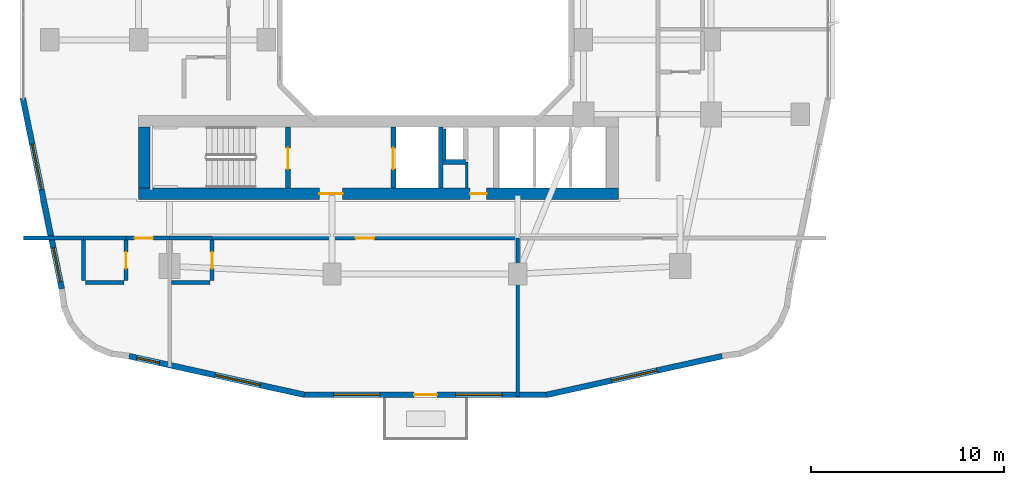
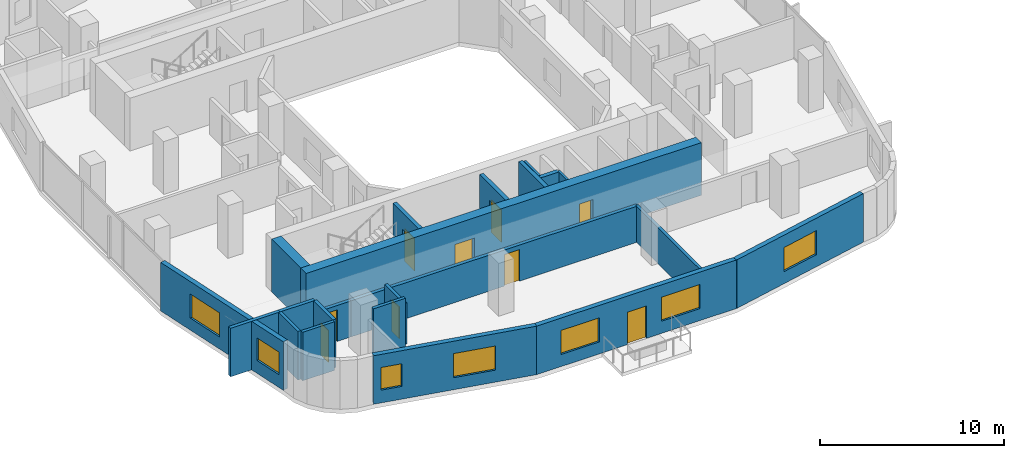
# One storey, part 8 of 22: 23 walls, 9 doors, 7 windows, 16 openings.
"""IFC4 building model written with IfcOpenShell, lengths in metres."""

from ifc_helpers import new_model, si_unit, derived_unit, direction, frame, frame_2d, origin, place, context, subcontext, project, spatial, rectangle, extrude, material, layer, layer_set, type_object, element, fill, save


model = new_model("IFC4")

# Units and contexts
model_context = context("Model", 3, precision=1e-05, world=origin(), true_north=direction((0.0, 1.0)))
body_context = subcontext(model_context, "Body", "Model", "MODEL_VIEW")
ifc_project = project(units=[si_unit("LENGTHUNIT", "METRE"), si_unit("AREAUNIT", "SQUARE_METRE"), si_unit("VOLUMEUNIT", "CUBIC_METRE"), si_unit("PLANEANGLEUNIT", "RADIAN"), si_unit("MASSUNIT", "GRAM", prefix="KILO"), derived_unit("THERMALTRANSMITTANCEUNIT", [(si_unit("POWERUNIT", "WATT"), 1), (si_unit("LENGTHUNIT", "METRE"), -2), (si_unit("THERMODYNAMICTEMPERATUREUNIT", "KELVIN"), -1)])], contexts=[model_context])

# Site, building, storey
site_placement = place(None, origin())
site = spatial("IfcSite", under=ifc_project, at=site_placement, CompositionType="ELEMENT")
building_placement = place(site_placement, origin())
building = spatial("IfcBuilding", under=site, at=building_placement, Name="Kivonza Crest Hotel", CompositionType="ELEMENT")
storey_placement = place(building_placement, frame((0.0, 0.0, 27.5)))
storey = spatial("IfcBuildingStorey", under=building, at=storey_placement, Name="L06", CompositionType="ELEMENT", Elevation=27.5)

# Walls
ifc_material_1 = material(Name="High-density acoustic masonry inter-tenancy wall", Category="masonry")
ifc_layer_1 = layer(ifc_material_1, 0.179931640625)
ifc_layer_set_1 = layer_set([ifc_layer_1], Name="High-density acoustic masonry inter-tenancy wall")
wall_type_1 = type_object("IfcWallType", Name="WL-ACOU-180", PredefinedType="SOLIDWALL", material=ifc_layer_set_1)
wall_1_placement = place(storey_placement, frame((25.800048828125, 3.06005859375, 0.0), z_axis=(0.0, 0.0, 1.0), x_axis=(0.0, 1.0, 0.0)))
element("IfcWall", 1, at=wall_1_placement, inside=storey, type_object=wall_type_1, Name="L06 interior partition WA-L06-T1S-DIV2", PredefinedType="SOLIDWALL", context=body_context, shape_type="SweptSolid", body=[
    extrude(rectangle(XDim=8.18994140625, YDim=0.179931640625, at=frame_2d((4.094970703125, 0.0))), origin(), (0.0, 0.0, 1.0), 2.39501953125),
])
ifc_material_2 = material(Name="Autoclaved aerated concrete blockwork", Category="masonry")
ifc_layer_2 = layer(ifc_material_2, 0.219970703125)
ifc_layer_set_2 = layer_set([ifc_layer_2], Name="Autoclaved aerated concrete blockwork")
wall_type_2 = type_object("IfcWallType", Name="WL-ACOU-220", PredefinedType="SOLIDWALL", material=ifc_layer_set_2)
wall_2_placement = place(storey_placement, frame((0.239990234375, 11.25, 0.0), z_axis=(0.0, 0.0, 1.0), x_axis=(1.0, 0.0, 0.0)))
element("IfcWall", 2, at=wall_2_placement, inside=storey, type_object=wall_type_2, Name="L06 interior partition WA-L06-S04-XCORR", PredefinedType="SOLIDWALL", context=body_context, shape_type="SweptSolid", body=[
    extrude(rectangle(XDim=3.110107421875, YDim=0.219970703125, at=frame_2d((1.55517578125, 0.0))), origin(), (0.0, 0.0, 1.0), 3.219970703125),
])
wall_3_placement = place(storey_placement, frame((3.35009765625, 11.25, 0.0), z_axis=(0.0, 0.0, 1.0), x_axis=(1.0, 0.0, 0.0)))
element("IfcWall", 3, at=wall_3_placement, inside=storey, type_object=wall_type_2, Name="L06 interior partition WA-L06-S04-BCORR", PredefinedType="SOLIDWALL", context=body_context, shape_type="SweptSolid", body=[
    extrude(rectangle(XDim=2.199951171875, YDim=0.219970703125, at=frame_2d((1.10009765625, 0.0))), origin(), (0.0, 0.0, 1.0), 3.219970703125),
])

# Wall, opening, door
wall_4_placement = place(storey_placement, frame((5.550048828125, 11.25, 0.0), z_axis=(0.0, 0.0, 1.0), x_axis=(1.0, 0.0, 0.0)))
wall_4 = element("IfcWall", 4, at=wall_4_placement, inside=storey, type_object=wall_type_2, Name="L06 interior partition WA-L06-S04-MCORR", PredefinedType="SOLIDWALL", context=body_context, shape_type="SweptSolid", body=[
    extrude(rectangle(XDim=2.25, YDim=0.219970703125, at=frame_2d((1.125, 0.0))), origin(), (0.0, 0.0, 1.0), 2.39501953125),
])
opening_1_placement = place(wall_4_placement, frame((0.43994140625, 0.0, 0.0)))
opening_1 = element("IfcOpeningElement", 5, at=opening_1_placement, cuts=wall_4, Name="Opening DU-60", PredefinedType="OPENING", context=body_context, shape_type="SweptSolid", body=[
    extrude(rectangle(XDim=0.949951171875, YDim=2.10009765625, at=frame_2d((0.47509765625, 1.050048828125))), frame((0.0, 0.1201171875, 0.0), z_axis=(0.0, -1.0, 0.0), x_axis=(1.0, 0.0, 0.0)), (0.0, 0.0, 1.0), 0.239990234375),
])
ifc_material_3 = material(Name="Hardwood timber oak", Category="wood")
door_type_1 = type_object("IfcDoorType", Name="DR-UNIT-950", OperationType="NOTDEFINED", PredefinedType="DOOR", material=ifc_material_3)
door_1_placement = place(opening_1_placement, frame((0.949951171875, 0.0, 0.0), z_axis=(0.0, 0.0, 1.0), x_axis=(-1.0, 0.0, 0.0)))
door_1 = element("IfcDoor", 6, at=door_1_placement, inside=storey, type_object=door_type_1, Name="L06 S04 guest unit entrance fire door", OperationType="SINGLE_SWING_RIGHT", OverallHeight=2.10009765625, OverallWidth=0.949951171875, PredefinedType="DOOR", context=body_context, shape_type="SweptSolid", body=[
    extrude(rectangle(XDim=0.949951171875, YDim=2.10009765625, at=frame_2d((0.47509765625, 1.050048828125))), frame((0.0, 0.02490234375, 0.0), z_axis=(0.0, -1.0, 0.0), x_axis=(1.0, 0.0, 0.0)), (0.0, 0.0, 1.0), 0.050048828125),
])
fill(opening_1, door_1)

# Wall
wall_5_placement = place(storey_placement, frame((7.800048828125, 11.25, 0.0), z_axis=(0.0, 0.0, 1.0), x_axis=(1.0, 0.0, 0.0)))
element("IfcWall", 7, at=wall_5_placement, inside=storey, type_object=wall_type_2, Name="L06 interior partition WA-L06-S05-BCORR", PredefinedType="SOLIDWALL", context=body_context, shape_type="SweptSolid", body=[
    extrude(rectangle(XDim=2.199951171875, YDim=0.219970703125, at=frame_2d((1.10009765625, 0.0))), origin(), (0.0, 0.0, 1.0), 2.39501953125),
])

# Wall, opening, door
wall_6_placement = place(storey_placement, frame((10.0, 11.25, 0.0), z_axis=(0.0, 0.0, 1.0), x_axis=(1.0, 0.0, 0.0)))
wall_6 = element("IfcWall", 8, at=wall_6_placement, inside=storey, type_object=wall_type_2, Name="L06 interior partition WA-L06-S05-MCORR", PredefinedType="SOLIDWALL", context=body_context, shape_type="SweptSolid", body=[
    extrude(rectangle(XDim=15.800048828125, YDim=0.219970703125, at=frame_2d((7.89990234375, 0.0))), origin(), (0.0, 0.0, 1.0), 2.39501953125),
])
opening_2_placement = place(wall_6_placement, frame((7.425048828125, 0.0, 0.0)))
opening_2 = element("IfcOpeningElement", 9, at=opening_2_placement, cuts=wall_6, Name="Opening DU-60", PredefinedType="OPENING", context=body_context, shape_type="SweptSolid", body=[
    extrude(rectangle(XDim=0.949951171875, YDim=2.10009765625, at=frame_2d((0.47509765625, 1.050048828125))), frame((0.0, 0.1201171875, 0.0), z_axis=(0.0, -1.0, 0.0), x_axis=(1.0, 0.0, 0.0)), (0.0, 0.0, 1.0), 0.239990234375),
])
door_2_placement = place(opening_2_placement, frame((0.949951171875, 0.0, 0.0), z_axis=(0.0, 0.0, 1.0), x_axis=(-1.0, 0.0, 0.0)))
door_2 = element("IfcDoor", 10, at=door_2_placement, inside=storey, type_object=door_type_1, Name="L06 S05 guest unit entrance fire door", OperationType="SINGLE_SWING_LEFT", OverallHeight=2.10009765625, OverallWidth=0.949951171875, PredefinedType="DOOR", context=body_context, shape_type="SweptSolid", body=[
    extrude(rectangle(XDim=0.949951171875, YDim=2.10009765625, at=frame_2d((0.47509765625, 1.050048828125))), frame((0.0, 0.02490234375, 0.0), z_axis=(0.0, -1.0, 0.0), x_axis=(1.0, 0.0, 0.0)), (0.0, 0.0, 1.0), 0.050048828125),
])
fill(opening_2, door_2)

# Wall, openings, doors
ifc_material_4 = material(Name="Concrete C60/75", Category="concrete")
ifc_layer_3 = layer(ifc_material_4, 0.60009765625)
ifc_layer_set_3 = layer_set([ifc_layer_3], Name="Concrete C60/75")
wall_type_3 = type_object("IfcWallType", Name="WL-CORE-600", PredefinedType="SHEAR", material=ifc_layer_set_3)
wall_7_placement = place(storey_placement, frame((6.199951171875, 13.5400390625, 0.0), z_axis=(0.0, 0.0, 1.0), x_axis=(1.0, 0.0, 0.0)))
wall_7 = element("IfcWall", 11, at=wall_7_placement, inside=storey, type_object=wall_type_3, Name="Core wall T1-S South L06", PredefinedType="SHEAR", context=body_context, shape_type="SweptSolid", body=[
    extrude(rectangle(XDim=24.800048828125, YDim=0.60009765625, at=frame_2d((12.39990234375, 0.0))), origin(), (0.0, 0.0, 1.0), 3.5),
])
opening_3_placement = place(wall_7_placement, frame((9.35009765625, 0.0, 0.0)))
opening_3 = element("IfcOpeningElement", 12, at=opening_3_placement, cuts=wall_7, Name="Opening DF-60", PredefinedType="OPENING", context=body_context, shape_type="SweptSolid", body=[
    extrude(rectangle(XDim=1.199951171875, YDim=2.14990234375, at=frame_2d((0.60009765625, 1.074951171875))), frame((0.0, 0.31005859375, 0.0), z_axis=(0.0, -1.0, 0.0), x_axis=(1.0, 0.0, 0.0)), (0.0, 0.0, 1.0), 0.6201171875),
])
opening_4_placement = place(wall_7_placement, frame((17.139892578125, 0.0, 0.0)))
opening_4 = element("IfcOpeningElement", 13, at=opening_4_placement, cuts=wall_7, Name="Opening DF-60R", PredefinedType="OPENING", context=body_context, shape_type="SweptSolid", body=[
    extrude(rectangle(XDim=0.85009765625, YDim=2.10009765625, at=frame_2d((0.425048828125, 1.050048828125))), frame((0.0, 0.31005859375, 0.0), z_axis=(0.0, -1.0, 0.0), x_axis=(1.0, 0.0, 0.0)), (0.0, 0.0, 1.0), 0.6201171875),
])
door_type_2 = type_object("IfcDoorType", Name="DR-FD60-1200", OperationType="NOTDEFINED", PredefinedType="DOOR", material=ifc_material_3)
door_3_placement = place(opening_3_placement, frame((1.199951171875, 0.0, 0.0), z_axis=(0.0, 0.0, 1.0), x_axis=(-1.0, 0.0, 0.0)))
door_3 = element("IfcDoor", 14, at=door_3_placement, inside=storey, type_object=door_type_2, Name="L06 T1-S firefighting lobby fire door", OperationType="SINGLE_SWING_LEFT", OverallHeight=2.14990234375, OverallWidth=1.199951171875, PredefinedType="DOOR", context=body_context, shape_type="SweptSolid", body=[
    extrude(rectangle(XDim=1.199951171875, YDim=2.14990234375, at=frame_2d((0.60009765625, 1.074951171875))), frame((0.0, 0.02490234375, 0.0), z_axis=(0.0, -1.0, 0.0), x_axis=(1.0, 0.0, 0.0)), (0.0, 0.0, 1.0), 0.050048828125),
])
fill(opening_3, door_3)
door_type_3 = type_object("IfcDoorType", Name="DR-FD60-850", OperationType="NOTDEFINED", PredefinedType="DOOR", material=ifc_material_3)
door_4_placement = place(opening_4_placement, frame((0.85009765625, 0.0, 0.0), z_axis=(0.0, 0.0, 1.0), x_axis=(-1.0, 0.0, 0.0)))
door_4 = element("IfcDoor", 15, at=door_4_placement, inside=storey, type_object=door_type_3, Name="L06 T1-S core room door", OperationType="SINGLE_SWING_RIGHT", OverallHeight=2.10009765625, OverallWidth=0.85009765625, PredefinedType="DOOR", context=body_context, shape_type="SweptSolid", body=[
    extrude(rectangle(XDim=0.85009765625, YDim=2.10009765625, at=frame_2d((0.425048828125, 1.050048828125))), frame((0.0, 0.02490234375, 0.0), z_axis=(0.0, -1.0, 0.0), x_axis=(1.0, 0.0, 0.0)), (0.0, 0.0, 1.0), 0.050048828125),
])
fill(opening_4, door_4)

# Wall
wall_8_placement = place(storey_placement, frame((6.5, 13.840087890625, 0.0), z_axis=(0.0, 0.0, 1.0), x_axis=(0.0, 1.0, 0.0)))
element("IfcWall", 16, at=wall_8_placement, inside=storey, type_object=wall_type_3, Name="Core wall T1-S West L06", PredefinedType="SHEAR", context=body_context, shape_type="SweptSolid", body=[
    extrude(rectangle(XDim=3.159912109375, YDim=0.60009765625, at=frame_2d((1.580078125, 0.0))), origin(), (0.0, 0.0, 1.0), 3.5),
])

# Wall, openings, windows
ifc_material_5 = material(Name="Precast concrete C40/50", Category="concrete")
ifc_layer_4 = layer(ifc_material_5, 0.300048828125)
ifc_layer_set_4 = layer_set([ifc_layer_4], Name="Precast concrete C40/50")
wall_type_4 = type_object("IfcWallType", Name="WL-EXT-300", PredefinedType="STANDARD", material=ifc_layer_set_4)
wall_9_placement = place(storey_placement, frame((5.7041015625, 5.14794921875, 0.0), z_axis=(0.0, 0.0, 1.0), x_axis=(0.976539545934, -0.215338141596, 0.0)))
wall_9 = element("IfcWall", 17, at=wall_9_placement, inside=storey, type_object=wall_type_4, Name="L06 T1 exterior insulated wall 7", PredefinedType="STANDARD", context=body_context, shape_type="SweptSolid", body=[
    extrude(rectangle(XDim=9.28759765625, YDim=0.300048828125, at=frame_2d((4.643798828125, 0.0))), origin(), (0.0, 0.0, 1.0), 3.219970703125),
])
opening_5_placement = place(wall_9_placement, frame((0.407958984375, 0.0, 0.85009765625)))
opening_5 = element("IfcOpeningElement", 18, at=opening_5_placement, cuts=wall_9, Name="Opening WN-01", PredefinedType="OPENING", context=body_context, shape_type="SweptSolid", body=[
    extrude(rectangle(XDim=1.199951171875, YDim=1.5, at=frame_2d((0.60009765625, 0.75))), frame((0.0, 0.16015625, 0.0), z_axis=(0.0, -1.0, 0.0), x_axis=(1.0, 0.0, 0.0)), (0.0, 0.0, 1.0), 0.320068359375),
])
opening_6_placement = place(wall_9_placement, frame((4.556884765625, 0.0, 0.800048828125)))
opening_6 = element("IfcOpeningElement", 19, at=opening_6_placement, cuts=wall_9, Name="Opening WN-05", PredefinedType="OPENING", context=body_context, shape_type="SweptSolid", body=[
    extrude(rectangle(XDim=2.39990234375, YDim=1.60009765625, at=frame_2d((1.199951171875, 0.800048828125))), frame((0.0, 0.16015625, 0.0), z_axis=(0.0, -1.0, 0.0), x_axis=(1.0, 0.0, 0.0)), (0.0, 0.0, 1.0), 0.320068359375),
])
ifc_material_6 = material(Name="Thermally broken bronze aluminium and low-E double glazing", Category="aluminium")
window_type_1 = type_object("IfcWindowType", Name="WN-120x150", PartitioningType="SINGLE_PANEL", PredefinedType="WINDOW", material=ifc_material_6)
window_1_placement = place(opening_5_placement, origin())
window_1 = element("IfcWindow", 20, at=window_1_placement, inside=storey, type_object=window_type_1, Name="L06 T1 facade window 7 bay 1", OverallHeight=1.5, OverallWidth=1.199951171875, PartitioningType="SINGLE_PANEL", PredefinedType="WINDOW", context=body_context, shape_type="SweptSolid", body=[
    extrude(rectangle(XDim=1.199951171875, YDim=1.5, at=frame_2d((0.60009765625, 0.75))), frame((0.0, 0.030029296875, 0.0), z_axis=(0.0, -1.0, 0.0), x_axis=(1.0, 0.0, 0.0)), (0.0, 0.0, 1.0), 0.06005859375),
])
fill(opening_5, window_1)
window_type_2 = type_object("IfcWindowType", Name="WN-240x160", PartitioningType="TRIPLE_PANEL_VERTICAL", PredefinedType="WINDOW", material=ifc_material_6)
window_2_placement = place(opening_6_placement, origin())
window_2 = element("IfcWindow", 21, at=window_2_placement, inside=storey, type_object=window_type_2, Name="L06 T1 facade window 7 bay 2", OverallHeight=1.60009765625, OverallWidth=2.39990234375, PartitioningType="SINGLE_PANEL", PredefinedType="WINDOW", context=body_context, shape_type="SweptSolid", body=[
    extrude(rectangle(XDim=2.39990234375, YDim=1.60009765625, at=frame_2d((1.199951171875, 0.800048828125))), frame((0.0, 0.030029296875, 0.0), z_axis=(0.0, -1.0, 0.0), x_axis=(1.0, 0.0, 0.0)), (0.0, 0.0, 1.0), 0.06005859375),
])
fill(opening_6, window_2)

# Wall, openings, door, windows
wall_10_placement = place(storey_placement, frame((14.72705078125, 3.14990234375, 0.0), z_axis=(0.0, 0.0, 1.0), x_axis=(1.0, 0.0, 0.0)))
wall_10 = element("IfcWall", 22, at=wall_10_placement, inside=storey, type_object=wall_type_4, Name="L06 T1 exterior insulated wall 8", PredefinedType="STANDARD", context=body_context, shape_type="SweptSolid", body=[
    extrude(rectangle(XDim=12.591064453125, YDim=0.300048828125, at=frame_2d((6.29541015625, 0.0))), origin(), (0.0, 0.0, 1.0), 3.219970703125),
])
opening_7_placement = place(wall_10_placement, frame((5.712890625, 0.0, 0.0)))
opening_7 = element("IfcOpeningElement", 23, at=opening_7_placement, cuts=wall_10, Name="Opening DT-120", PredefinedType="OPENING", context=body_context, shape_type="SweptSolid", body=[
    extrude(rectangle(XDim=1.199951171875, YDim=2.14990234375, at=frame_2d((0.60009765625, 1.074951171875))), frame((0.0, 0.16015625, 0.0), z_axis=(0.0, -1.0, 0.0), x_axis=(1.0, 0.0, 0.0)), (0.0, 0.0, 1.0), 0.320068359375),
])
opening_8_placement = place(wall_10_placement, frame((1.552001953125, 0.0, 0.800048828125)))
opening_8 = element("IfcOpeningElement", 24, at=opening_8_placement, cuts=wall_10, Name="Opening WN-05", PredefinedType="OPENING", context=body_context, shape_type="SweptSolid", body=[
    extrude(rectangle(XDim=2.39990234375, YDim=1.60009765625, at=frame_2d((1.199951171875, 0.800048828125))), frame((0.0, 0.16015625, 0.0), z_axis=(0.0, -1.0, 0.0), x_axis=(1.0, 0.0, 0.0)), (0.0, 0.0, 1.0), 0.320068359375),
])
opening_9_placement = place(wall_10_placement, frame((7.867919921875, 0.0, 0.800048828125)))
opening_9 = element("IfcOpeningElement", 25, at=opening_9_placement, cuts=wall_10, Name="Opening WN-05", PredefinedType="OPENING", context=body_context, shape_type="SweptSolid", body=[
    extrude(rectangle(XDim=2.39990234375, YDim=1.60009765625, at=frame_2d((1.199951171875, 0.800048828125))), frame((0.0, 0.16015625, 0.0), z_axis=(0.0, -1.0, 0.0), x_axis=(1.0, 0.0, 0.0)), (0.0, 0.0, 1.0), 0.320068359375),
])
ifc_material_7 = material(Name="Anodised bronze aluminium and laminated safety glass", Category="aluminium")
door_type_4 = type_object("IfcDoorType", Name="DR-TERR-1200", OperationType="NOTDEFINED", PredefinedType="DOOR", material=ifc_material_7)
door_5_placement = place(opening_7_placement, frame((1.199951171875, 0.0, 0.0), z_axis=(0.0, 0.0, 1.0), x_axis=(-1.0, 0.0, 0.0)))
door_5 = element("IfcDoor", 26, at=door_5_placement, inside=storey, type_object=door_type_4, Name="T1 L06 SW sky-garden bridge access door", OperationType="SINGLE_SWING_LEFT", OverallHeight=2.14990234375, OverallWidth=1.199951171875, PredefinedType="DOOR", context=body_context, shape_type="SweptSolid", body=[
    extrude(rectangle(XDim=1.199951171875, YDim=2.14990234375, at=frame_2d((0.60009765625, 1.074951171875))), frame((0.0, 0.02490234375, 0.0), z_axis=(0.0, -1.0, 0.0), x_axis=(1.0, 0.0, 0.0)), (0.0, 0.0, 1.0), 0.050048828125),
])
fill(opening_7, door_5)
window_3_placement = place(opening_8_placement, origin())
window_3 = element("IfcWindow", 27, at=window_3_placement, inside=storey, type_object=window_type_2, Name="L06 T1 facade window 8 bay 1", OverallHeight=1.60009765625, OverallWidth=2.39990234375, PartitioningType="SINGLE_PANEL", PredefinedType="WINDOW", context=body_context, shape_type="SweptSolid", body=[
    extrude(rectangle(XDim=2.39990234375, YDim=1.60009765625, at=frame_2d((1.199951171875, 0.800048828125))), frame((0.0, 0.030029296875, 0.0), z_axis=(0.0, -1.0, 0.0), x_axis=(1.0, 0.0, 0.0)), (0.0, 0.0, 1.0), 0.06005859375),
])
fill(opening_8, window_3)
window_4_placement = place(opening_9_placement, origin())
window_4 = element("IfcWindow", 28, at=window_4_placement, inside=storey, type_object=window_type_2, Name="L06 T1 facade window 8 bay 2", OverallHeight=1.60009765625, OverallWidth=2.39990234375, PartitioningType="SINGLE_PANEL", PredefinedType="WINDOW", context=body_context, shape_type="SweptSolid", body=[
    extrude(rectangle(XDim=2.39990234375, YDim=1.60009765625, at=frame_2d((1.199951171875, 0.800048828125))), frame((0.0, 0.030029296875, 0.0), z_axis=(0.0, -1.0, 0.0), x_axis=(1.0, 0.0, 0.0)), (0.0, 0.0, 1.0), 0.06005859375),
])
fill(opening_9, window_4)

# Wall, opening, window
wall_11_placement = place(storey_placement, frame((27.27197265625, 3.14111328125, 0.0), z_axis=(0.0, 0.0, 1.0), x_axis=(0.976555357219, 0.21526642629, 0.0)))
wall_11 = element("IfcWall", 29, at=wall_11_placement, inside=storey, type_object=wall_type_4, Name="L06 T1 exterior insulated wall 9", PredefinedType="STANDARD", context=body_context, shape_type="SweptSolid", body=[
    extrude(rectangle(XDim=9.322509765625, YDim=0.300048828125, at=frame_2d((4.6611328125, 0.0))), origin(), (0.0, 0.0, 1.0), 3.219970703125),
])
opening_10_placement = place(wall_11_placement, frame((3.4609375, 0.0, 0.800048828125)))
opening_10 = element("IfcOpeningElement", 30, at=opening_10_placement, cuts=wall_11, Name="Opening WN-05", PredefinedType="OPENING", context=body_context, shape_type="SweptSolid", body=[
    extrude(rectangle(XDim=2.39990234375, YDim=1.60009765625, at=frame_2d((1.199951171875, 0.800048828125))), frame((0.0, 0.16015625, 0.0), z_axis=(0.0, -1.0, 0.0), x_axis=(1.0, 0.0, 0.0)), (0.0, 0.0, 1.0), 0.320068359375),
])
window_5_placement = place(opening_10_placement, origin())
window_5 = element("IfcWindow", 31, at=window_5_placement, inside=storey, type_object=window_type_2, Name="L06 T1 facade window 9", OverallHeight=1.60009765625, OverallWidth=2.39990234375, PartitioningType="SINGLE_PANEL", PredefinedType="WINDOW", context=body_context, shape_type="SweptSolid", body=[
    extrude(rectangle(XDim=2.39990234375, YDim=1.60009765625, at=frame_2d((1.199951171875, 0.800048828125))), frame((0.0, 0.030029296875, 0.0), z_axis=(0.0, -1.0, 0.0), x_axis=(1.0, 0.0, 0.0)), (0.0, 0.0, 1.0), 0.06005859375),
])
fill(opening_10, window_5)

# Wall, openings, windows
wall_12_placement = place(storey_placement, frame((0.216064453125, 18.48388671875, 0.0), z_axis=(0.0, 0.0, 1.0), x_axis=(0.199990901713, -0.979797754249, 0.0)))
wall_12 = element("IfcWall", 32, at=wall_12_placement, inside=storey, type_object=wall_type_4, Name="L06 T1 exterior insulated wall 36", PredefinedType="STANDARD", context=body_context, shape_type="SweptSolid", body=[
    extrude(rectangle(XDim=10.065185546875, YDim=0.300048828125, at=frame_2d((5.03271484375, 0.0))), origin(), (0.0, 0.0, 1.0), 3.219970703125),
])
opening_11_placement = place(wall_12_placement, frame((2.428955078125, 0.0, 0.800048828125)))
opening_11 = element("IfcOpeningElement", 33, at=opening_11_placement, cuts=wall_12, Name="Opening WN-05", PredefinedType="OPENING", context=body_context, shape_type="SweptSolid", body=[
    extrude(rectangle(XDim=2.39990234375, YDim=1.60009765625, at=frame_2d((1.199951171875, 0.800048828125))), frame((0.0, 0.16015625, 0.0), z_axis=(0.0, -1.0, 0.0), x_axis=(1.0, 0.0, 0.0)), (0.0, 0.0, 1.0), 0.320068359375),
])
opening_12_placement = place(wall_12_placement, frame((7.886962890625, 0.0, 0.85009765625)))
opening_12 = element("IfcOpeningElement", 34, at=opening_12_placement, cuts=wall_12, Name="Opening WN-03", PredefinedType="OPENING", context=body_context, shape_type="SweptSolid", body=[
    extrude(rectangle(XDim=1.800048828125, YDim=1.5, at=frame_2d((0.89990234375, 0.75))), frame((0.0, 0.16015625, 0.0), z_axis=(0.0, -1.0, 0.0), x_axis=(1.0, 0.0, 0.0)), (0.0, 0.0, 1.0), 0.320068359375),
])
window_type_3 = type_object("IfcWindowType", Name="WN-180x150", PartitioningType="DOUBLE_PANEL_VERTICAL", PredefinedType="WINDOW", material=ifc_material_6)
window_6_placement = place(opening_12_placement, origin())
window_6 = element("IfcWindow", 35, at=window_6_placement, inside=storey, type_object=window_type_3, Name="L06 T1 facade window 36 bay 2", OverallHeight=1.5, OverallWidth=1.800048828125, PartitioningType="SINGLE_PANEL", PredefinedType="WINDOW", context=body_context, shape_type="SweptSolid", body=[
    extrude(rectangle(XDim=1.800048828125, YDim=1.5, at=frame_2d((0.89990234375, 0.75))), frame((0.0, 0.030029296875, 0.0), z_axis=(0.0, -1.0, 0.0), x_axis=(1.0, 0.0, 0.0)), (0.0, 0.0, 1.0), 0.06005859375),
])
fill(opening_12, window_6)
window_7_placement = place(opening_11_placement, origin())
window_7 = element("IfcWindow", 36, at=window_7_placement, inside=storey, type_object=window_type_2, Name="L06 T1 facade window 36 bay 1", OverallHeight=1.60009765625, OverallWidth=2.39990234375, PartitioningType="SINGLE_PANEL", PredefinedType="WINDOW", context=body_context, shape_type="SweptSolid", body=[
    extrude(rectangle(XDim=2.39990234375, YDim=1.60009765625, at=frame_2d((1.199951171875, 0.800048828125))), frame((0.0, 0.030029296875, 0.0), z_axis=(0.0, -1.0, 0.0), x_axis=(1.0, 0.0, 0.0)), (0.0, 0.0, 1.0), 0.06005859375),
])
fill(opening_11, window_7)

# Walls
ifc_material_8 = material(Name="Concrete blockwork fire-compartment wall", Category="masonry")
ifc_layer_5 = layer(ifc_material_8, 0.25)
ifc_layer_set_5 = layer_set([ifc_layer_5], Name="Concrete blockwork fire-compartment wall")
wall_type_5 = type_object("IfcWallType", Name="WL-FIRE-250", PredefinedType="SOLIDWALL", material=ifc_layer_set_5)
wall_13_placement = place(storey_placement, frame((21.949951171875, 15.179931640625, 0.0), z_axis=(0.0, 0.0, 1.0), x_axis=(1.0, 0.0, 0.0)))
element("IfcWall", 37, at=wall_13_placement, inside=storey, type_object=wall_type_5, Name="L06 interior partition WA-L06-T1-S-MEPR-H", PredefinedType="SOLIDWALL", context=body_context, shape_type="SweptSolid", body=[
    extrude(rectangle(XDim=1.150146484375, YDim=0.25, at=frame_2d((0.5751953125, 0.0))), origin(), (0.0, 0.0, 1.0), 3.219970703125),
])
ifc_material_9 = material(Name="Metal-stud gypsum board partition", Category="gypsum")
ifc_layer_6 = layer(ifc_material_9, 0.125)
ifc_layer_set_6 = layer_set([ifc_layer_6], Name="Metal-stud gypsum board partition")
wall_type_6 = type_object("IfcWallType", Name="WL-PART-125", PredefinedType="PARTITIONING", material=ifc_layer_set_6)
wall_14_placement = place(storey_placement, frame((23.159912109375, 13.840087890625, 0.0), z_axis=(0.0, 0.0, 1.0), x_axis=(0.0, 1.0, 0.0)))
element("IfcWall", 38, at=wall_14_placement, inside=storey, type_object=wall_type_6, Name="L06 interior partition WP-L06-T1-S-SV1V", PredefinedType="PARTITIONING", context=body_context, shape_type="SweptSolid", body=[
    extrude(rectangle(XDim=1.33984375, YDim=0.125, at=frame_2d((0.669921875, 0.0))), origin(), (0.0, 0.0, 1.0), 3.219970703125),
])
ifc_material_10 = material(Name="Twin-stud acoustic gypsum board partition", Category="gypsum")
ifc_layer_7 = layer(ifc_material_10, 0.14990234375)
ifc_layer_set_7 = layer_set([ifc_layer_7], Name="Twin-stud acoustic gypsum board partition")
wall_type_7 = type_object("IfcWallType", Name="WL-PART-150", PredefinedType="PARTITIONING", material=ifc_layer_set_7)
wall_15_placement = place(storey_placement, frame((22.030029296875, 15.280029296875, 0.0), z_axis=(0.0, 0.0, 1.0), x_axis=(0.0, 1.0, 0.0)))
element("IfcWall", 39, at=wall_15_placement, inside=storey, type_object=wall_type_7, Name="L06 interior partition WA-L06-T1-S-MEPR-W", PredefinedType="PARTITIONING", context=body_context, shape_type="SweptSolid", body=[
    extrude(rectangle(XDim=1.619873046875, YDim=0.14990234375, at=frame_2d((0.81005859375, 0.0))), origin(), (0.0, 0.0, 1.0), 3.219970703125),
])

# Wall, opening, door
ifc_material_11 = material(Name="Moisture-resistant plumbing chase partition wall", Category="gypsum")
ifc_layer_8 = layer(ifc_material_11, 0.199951171875)
ifc_layer_set_8 = layer_set([ifc_layer_8], Name="Moisture-resistant plumbing chase partition wall")
wall_type_8 = type_object("IfcWallType", Name="WL-PLUMB-200", PredefinedType="PLUMBINGWALL", material=ifc_layer_set_8)
wall_16_placement = place(storey_placement, frame((5.550048828125, 9.050048828125, 0.0), z_axis=(0.0, 0.0, 1.0), x_axis=(0.0, 1.0, 0.0)))
wall_16 = element("IfcWall", 40, at=wall_16_placement, inside=storey, type_object=wall_type_8, Name="L06 interior partition WW-L06-S04-BV", PredefinedType="PLUMBINGWALL", context=body_context, shape_type="SweptSolid", body=[
    extrude(rectangle(XDim=2.099853515625, YDim=0.199951171875, at=frame_2d((1.0498046875, 0.0))), origin(), (0.0, 0.0, 1.0), 3.219970703125),
])
opening_13_placement = place(wall_16_placement, frame((0.625, 0.0, 0.0)))
opening_13 = element("IfcOpeningElement", 41, at=opening_13_placement, cuts=wall_16, Name="Opening DI-85", PredefinedType="OPENING", context=body_context, shape_type="SweptSolid", body=[
    extrude(rectangle(XDim=0.85009765625, YDim=2.10009765625, at=frame_2d((0.425048828125, 1.050048828125))), frame((0.0, 0.10986328125, 0.0), z_axis=(0.0, -1.0, 0.0), x_axis=(1.0, 0.0, 0.0)), (0.0, 0.0, 1.0), 0.219970703125),
])
door_type_5 = type_object("IfcDoorType", Name="DR-INT-850", OperationType="NOTDEFINED", PredefinedType="DOOR", material=ifc_material_3)
door_6_placement = place(opening_13_placement, frame((0.85009765625, 0.0, 0.0), z_axis=(0.0, 0.0, 1.0), x_axis=(-1.0, 0.0, 0.0)))
door_6 = element("IfcDoor", 42, at=door_6_placement, inside=storey, type_object=door_type_5, Name="L06 S04 en-suite bathroom door", OperationType="SINGLE_SWING_LEFT", OverallHeight=2.10009765625, OverallWidth=0.85009765625, PredefinedType="DOOR", context=body_context, shape_type="SweptSolid", body=[
    extrude(rectangle(XDim=0.85009765625, YDim=2.10009765625, at=frame_2d((0.425048828125, 1.050048828125))), frame((0.0, 0.02490234375, 0.0), z_axis=(0.0, -1.0, 0.0), x_axis=(1.0, 0.0, 0.0)), (0.0, 0.0, 1.0), 0.050048828125),
])
fill(opening_13, door_6)

# Walls
wall_17_placement = place(storey_placement, frame((3.449951171875, 8.949951171875, 0.0), z_axis=(0.0, 0.0, 1.0), x_axis=(1.0, 0.0, 0.0)))
element("IfcWall", 43, at=wall_17_placement, inside=storey, type_object=wall_type_8, Name="L06 interior partition WW-L06-S04-BH", PredefinedType="PLUMBINGWALL", context=body_context, shape_type="SweptSolid", body=[
    extrude(rectangle(XDim=2.0, YDim=0.199951171875, at=frame_2d((1.0, 0.0))), origin(), (0.0, 0.0, 1.0), 3.219970703125),
])
wall_18_placement = place(storey_placement, frame((3.35009765625, 9.050048828125, 0.0), z_axis=(0.0, 0.0, 1.0), x_axis=(0.0, 1.0, 0.0)))
element("IfcWall", 44, at=wall_18_placement, inside=storey, type_object=wall_type_8, Name="L06 interior partition WW-L06-S04-BVW", PredefinedType="PLUMBINGWALL", context=body_context, shape_type="SweptSolid", body=[
    extrude(rectangle(XDim=2.099853515625, YDim=0.199951171875, at=frame_2d((1.0498046875, 0.0))), origin(), (0.0, 0.0, 1.0), 3.219970703125),
])

# Wall, opening, door
wall_19_placement = place(storey_placement, frame((10.0, 9.050048828125, 0.0), z_axis=(0.0, 0.0, 1.0), x_axis=(0.0, 1.0, 0.0)))
wall_19 = element("IfcWall", 45, at=wall_19_placement, inside=storey, type_object=wall_type_8, Name="L06 interior partition WW-L06-S05-BV", PredefinedType="PLUMBINGWALL", context=body_context, shape_type="SweptSolid", body=[
    extrude(rectangle(XDim=2.099853515625, YDim=0.199951171875, at=frame_2d((1.0498046875, 0.0))), origin(), (0.0, 0.0, 1.0), 2.7451171875),
])
opening_14_placement = place(wall_19_placement, frame((0.625, 0.0, 0.0)))
opening_14 = element("IfcOpeningElement", 46, at=opening_14_placement, cuts=wall_19, Name="Opening DI-85", PredefinedType="OPENING", context=body_context, shape_type="SweptSolid", body=[
    extrude(rectangle(XDim=0.85009765625, YDim=2.10009765625, at=frame_2d((0.425048828125, 1.050048828125))), frame((0.0, 0.10986328125, 0.0), z_axis=(0.0, -1.0, 0.0), x_axis=(1.0, 0.0, 0.0)), (0.0, 0.0, 1.0), 0.219970703125),
])
door_7_placement = place(opening_14_placement, frame((0.85009765625, 0.0, 0.0), z_axis=(0.0, 0.0, 1.0), x_axis=(-1.0, 0.0, 0.0)))
door_7 = element("IfcDoor", 47, at=door_7_placement, inside=storey, type_object=door_type_5, Name="L06 S05 en-suite bathroom door", OperationType="SINGLE_SWING_RIGHT", OverallHeight=2.10009765625, OverallWidth=0.85009765625, PredefinedType="DOOR", context=body_context, shape_type="SweptSolid", body=[
    extrude(rectangle(XDim=0.85009765625, YDim=2.10009765625, at=frame_2d((0.425048828125, 1.050048828125))), frame((0.0, 0.02490234375, 0.0), z_axis=(0.0, -1.0, 0.0), x_axis=(1.0, 0.0, 0.0)), (0.0, 0.0, 1.0), 0.050048828125),
])
fill(opening_14, door_7)

# Wall
wall_20_placement = place(storey_placement, frame((7.89990234375, 8.949951171875, 0.0), z_axis=(0.0, 0.0, 1.0), x_axis=(1.0, 0.0, 0.0)))
element("IfcWall", 48, at=wall_20_placement, inside=storey, type_object=wall_type_8, Name="L06 interior partition WW-L06-S05-BH", PredefinedType="PLUMBINGWALL", context=body_context, shape_type="SweptSolid", body=[
    extrude(rectangle(XDim=2.0, YDim=0.199951171875, at=frame_2d((1.0, 0.0))), origin(), (0.0, 0.0, 1.0), 3.219970703125),
])

# Wall, opening, door
ifc_material_12 = material(Name="Concrete C50/60", Category="concrete")
ifc_layer_9 = layer(ifc_material_12, 0.25)
ifc_layer_set_9 = layer_set([ifc_layer_9], Name="Concrete C50/60")
wall_type_9 = type_object("IfcWallType", Name="WL-SHAFT-250", PredefinedType="STANDARD", material=ifc_layer_set_9)
wall_21_placement = place(storey_placement, frame((13.925048828125, 13.840087890625, 0.0), z_axis=(0.0, 0.0, 1.0), x_axis=(0.0, 1.0, 0.0)))
wall_21 = element("IfcWall", 49, at=wall_21_placement, inside=storey, type_object=wall_type_9, Name="Core shaft wall T1-S STAIR L06", PredefinedType="STANDARD", context=body_context, shape_type="SweptSolid", body=[
    extrude(rectangle(XDim=3.159912109375, YDim=0.25, at=frame_2d((1.580078125, 0.0))), origin(), (0.0, 0.0, 1.0), 3.219970703125),
])
opening_15_placement = place(wall_21_placement, frame((0.97998046875, 0.0, 0.0)))
opening_15 = element("IfcOpeningElement", 50, at=opening_15_placement, cuts=wall_21, Name="Opening DF-120", PredefinedType="OPENING", context=body_context, shape_type="SweptSolid", body=[
    extrude(rectangle(XDim=1.10009765625, YDim=2.14990234375, at=frame_2d((0.550048828125, 1.074951171875))), frame((0.0, 0.135009765625, 0.0), z_axis=(0.0, -1.0, 0.0), x_axis=(1.0, 0.0, 0.0)), (0.0, 0.0, 1.0), 0.27001953125),
])
ifc_material_13 = material(Name="Galvanised steel", Category="steel")
door_type_6 = type_object("IfcDoorType", Name="DR-FD120-1100", OperationType="NOTDEFINED", PredefinedType="DOOR", material=ifc_material_13)
door_8_placement = place(opening_15_placement, frame((1.10009765625, 0.0, 0.0), z_axis=(0.0, 0.0, 1.0), x_axis=(-1.0, 0.0, 0.0)))
door_8 = element("IfcDoor", 51, at=door_8_placement, inside=storey, type_object=door_type_6, Name="L06 T1-S stair fire door", OperationType="SINGLE_SWING_RIGHT", OverallHeight=2.14990234375, OverallWidth=1.10009765625, PredefinedType="DOOR", context=body_context, shape_type="SweptSolid", body=[
    extrude(rectangle(XDim=1.10009765625, YDim=2.14990234375, at=frame_2d((0.550048828125, 1.074951171875))), frame((0.0, 0.02490234375, 0.0), z_axis=(0.0, -1.0, 0.0), x_axis=(1.0, 0.0, 0.0)), (0.0, 0.0, 1.0), 0.050048828125),
])
fill(opening_15, door_8)

wall_22_placement = place(storey_placement, frame((19.375, 13.840087890625, 0.0), z_axis=(0.0, 0.0, 1.0), x_axis=(0.0, 1.0, 0.0)))
wall_22 = element("IfcWall", 52, at=wall_22_placement, inside=storey, type_object=wall_type_9, Name="Core shaft wall T1-S FFL-W L06", PredefinedType="STANDARD", context=body_context, shape_type="SweptSolid", body=[
    extrude(rectangle(XDim=3.159912109375, YDim=0.25, at=frame_2d((1.580078125, 0.0))), origin(), (0.0, 0.0, 1.0), 3.219970703125),
])
opening_16_placement = place(wall_22_placement, frame((0.97998046875, 0.0, 0.0)))
opening_16 = element("IfcOpeningElement", 53, at=opening_16_placement, cuts=wall_22, Name="Opening LD-120", PredefinedType="OPENING", context=body_context, shape_type="SweptSolid", body=[
    extrude(rectangle(XDim=1.10009765625, YDim=2.14990234375, at=frame_2d((0.550048828125, 1.074951171875))), frame((0.0, 0.135009765625, 0.0), z_axis=(0.0, -1.0, 0.0), x_axis=(1.0, 0.0, 0.0)), (0.0, 0.0, 1.0), 0.27001953125),
])
ifc_material_14 = material(Name="Stainless steel", Category="steel")
door_type_7 = type_object("IfcDoorType", Name="DR-LD120-1100", OperationType="NOTDEFINED", PredefinedType="DOOR", material=ifc_material_14)
door_9_placement = place(opening_16_placement, origin())
door_9 = element("IfcDoor", 54, at=door_9_placement, inside=storey, type_object=door_type_7, Name="L06 FFL-T1-S firefighting lift sliding landing door", OperationType="DOUBLE_DOOR_SLIDING", OverallHeight=2.14990234375, OverallWidth=1.10009765625, PredefinedType="DOOR", context=body_context, shape_type="SweptSolid", body=[
    extrude(rectangle(XDim=1.10009765625, YDim=2.14990234375, at=frame_2d((0.550048828125, 1.074951171875))), frame((0.0, 0.02490234375, 0.0), z_axis=(0.0, -1.0, 0.0), x_axis=(1.0, 0.0, 0.0)), (0.0, 0.0, 1.0), 0.050048828125),
])
fill(opening_16, door_9)

# Wall
wall_23_placement = place(storey_placement, frame((21.824951171875, 13.840087890625, 0.0), z_axis=(0.0, 0.0, 1.0), x_axis=(0.0, 1.0, 0.0)))
element("IfcWall", 55, at=wall_23_placement, inside=storey, type_object=wall_type_9, Name="Core shaft wall T1-S FFL-E L06", PredefinedType="STANDARD", context=body_context, shape_type="SweptSolid", body=[
    extrude(rectangle(XDim=3.159912109375, YDim=0.25, at=frame_2d((1.580078125, 0.0))), origin(), (0.0, 0.0, 1.0), 3.219970703125),
])

save(model, "model.ifc")
